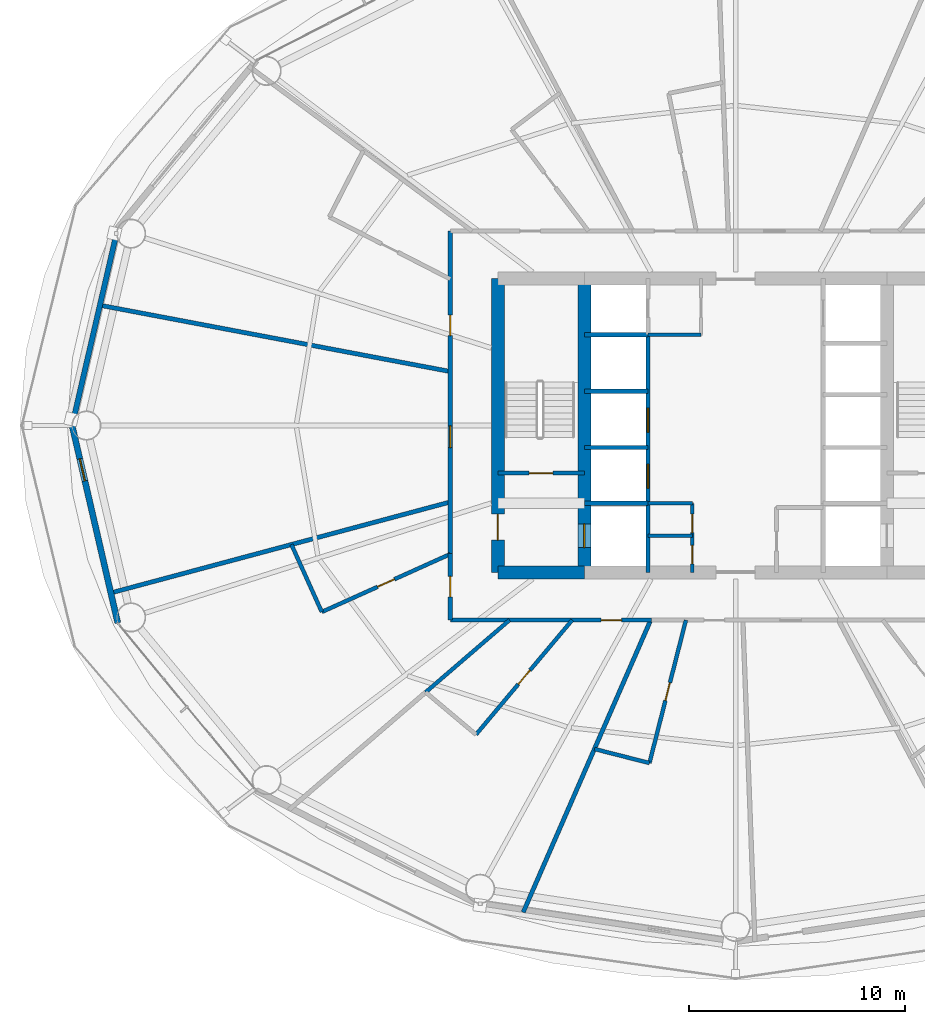
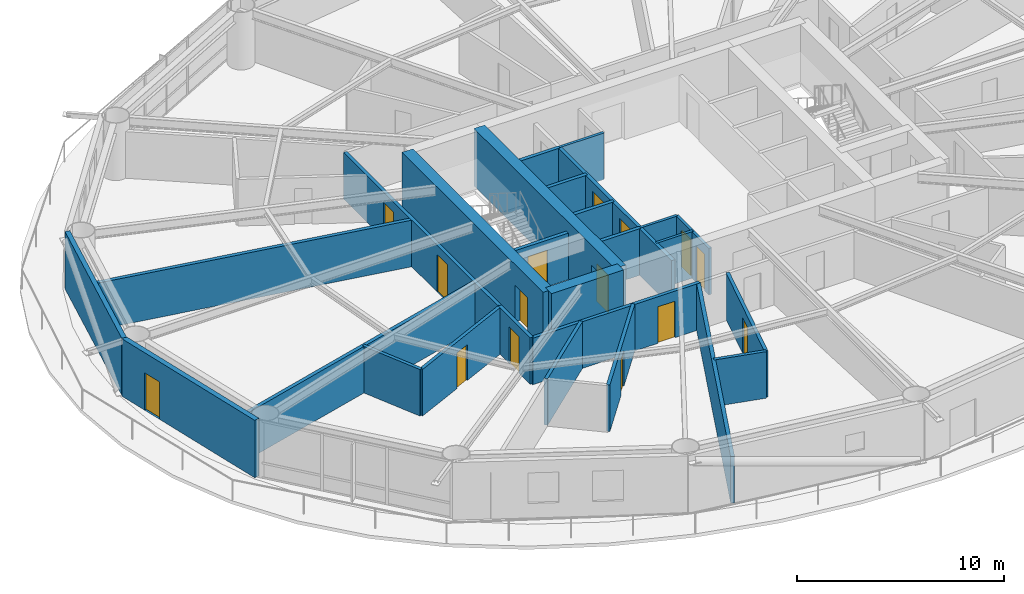
# One storey, part 20 of 26: 28 walls, 15 doors, 15 openings.
"""IFC4 building model written with IfcOpenShell, lengths in metres."""

import ifcopenshell
import ifcopenshell.guid

model = None  # the IFC model being written
_history = None  # IfcOwnerHistory: only IFC2X3 demands one
_inside = {}  # id of a spatial element -> (the spatial element, [elements in it])
_under = {}  # id of a project, library or spatial element -> (it, [spatial elements below it])
_declared = {}  # id of a project -> (the project, [libraries it declares])
_typed = {}  # id of a type object -> (the type object, [elements of that type])
_made_of = {}  # id of a material, layer set ... -> (it, [elements and type objects made of it])


def new_model(schema):
    """Start an empty IFC model of exactly this schema.

    Asked for "IFC4X3", IfcOpenShell would pick the latest addendum, in which some entities
    have other attributes; the version numbers below select the first issue.
    IFC2X3 requires an IfcOwnerHistory on every rooted entity: one is made here for all.
    """
    global model, _history
    if schema == "IFC4X3":
        model = ifcopenshell.file(schema_version=(4, 3, 0, 0))
    else:
        model = ifcopenshell.file(schema=schema)
    _inside.clear()
    _under.clear()
    _declared.clear()
    _typed.clear()
    _made_of.clear()
    _history = None
    if model.schema == "IFC2X3":
        org = make("IfcOrganization", Name="unknown")
        user = make(
            "IfcPersonAndOrganization",
            ThePerson=make("IfcPerson", FamilyName="unknown"),
            TheOrganization=org,
        )
        app = make(
            "IfcApplication",
            ApplicationDeveloper=org,
            Version="unknown",
            ApplicationFullName="unknown",
            ApplicationIdentifier="unknown",
        )
        _history = make(
            "IfcOwnerHistory",
            OwningUser=user,
            OwningApplication=app,
            ChangeAction="ADDED",
            CreationDate=0,
        )
    return model


def make(cls, **values):
    """One entity of the class cls with the attributes given. An attribute that is None is left unset."""
    return model.create_entity(
        cls, **{name: value for name, value in values.items() if value is not None}
    )


def rooted(cls, **values):
    """An entity with a GlobalId (a new one), such as an element, a storey or a relation."""
    return make(cls, GlobalId=ifcopenshell.guid.new(), OwnerHistory=_history, **values)


def si_unit(unit_type, name, prefix=None):
    """IfcSIUnit, for example si_unit("LENGTHUNIT", "METRE", prefix="MILLI")."""
    return make("IfcSIUnit", UnitType=unit_type, Prefix=prefix, Name=name)


def assignment(units):
    """IfcUnitAssignment: the units of a project."""
    return None if units is None else make("IfcUnitAssignment", Units=units)


def point(xyz):
    """IfcCartesianPoint."""
    return None if xyz is None else make("IfcCartesianPoint", Coordinates=xyz)


def direction(xyz):
    """IfcDirection."""
    return None if xyz is None else make("IfcDirection", DirectionRatios=xyz)


def frame(location, z_axis=None, x_axis=None):
    """IfcAxis2Placement3D, a coordinate frame: its origin and axes. An axis left out is left unset."""
    return make(
        "IfcAxis2Placement3D",
        Location=point(location),
        Axis=direction(z_axis),
        RefDirection=direction(x_axis),
    )


def frame_2d(location, x_axis=None):
    """IfcAxis2Placement2D, a coordinate frame in the plane: its origin and x axis."""
    return make(
        "IfcAxis2Placement2D", Location=point(location), RefDirection=direction(x_axis)
    )


def origin():
    """The frame at (0, 0, 0) with its axes left unset."""
    return frame((0.0, 0.0, 0.0))


def place(relative_to, where):
    """IfcLocalPlacement: puts the frame where relative to a parent placement (None: the world)."""
    return make(
        "IfcLocalPlacement", PlacementRelTo=relative_to, RelativePlacement=where
    )


def context(
    kind, dimensions, precision=None, world=None, true_north=None, identifier=None
):
    """IfcGeometricRepresentationContext, for example the 3D "Model" context."""
    return make(
        "IfcGeometricRepresentationContext",
        ContextIdentifier=identifier,
        ContextType=kind,
        CoordinateSpaceDimension=dimensions,
        Precision=precision,
        WorldCoordinateSystem=world,
        TrueNorth=true_north,
    )


def subcontext(parent, identifier, kind, view, scale=None):
    """IfcGeometricRepresentationSubContext, for example "Body" below "Model"."""
    return make(
        "IfcGeometricRepresentationSubContext",
        ContextIdentifier=identifier,
        ContextType=kind,
        ParentContext=parent,
        TargetScale=scale,
        TargetView=view,
    )


def project(units=None, contexts=None):
    """IfcProject with its units and contexts."""
    return rooted(
        "IfcProject",
        Name="project",
        RepresentationContexts=contexts,
        UnitsInContext=assignment(units),
    )


def spatial(cls, under=None, at=None, **own):
    """A site, building, storey or space (cls), placed at a placement, below another one or the project."""
    s = rooted(cls, ObjectPlacement=at, **own)
    if under is not None:
        _under.setdefault(under.id(), (under, []))[1].append(s)
    return s


def profile(cls, at=None, kind="AREA", **sizes):
    """A parametric profile (cls). Its sizes go by their IFC names, for example OverallWidth=200.0."""
    return make(cls, ProfileType=kind, Position=at, **sizes)


def rectangle(**sizes):
    """IfcRectangleProfileDef."""
    return profile("IfcRectangleProfileDef", **sizes)


def extrude(swept, where, along, depth):
    """IfcExtrudedAreaSolid: the profile swept, set in the frame where, extruded along a direction by depth."""
    return make(
        "IfcExtrudedAreaSolid",
        SweptArea=swept,
        Position=where,
        ExtrudedDirection=direction(along),
        Depth=depth,
    )


def shape(context_of_items, identifier, shape_type, items):
    """IfcShapeRepresentation: the items that make up one representation, for example the "Body"."""
    return make(
        "IfcShapeRepresentation",
        ContextOfItems=context_of_items,
        RepresentationIdentifier=identifier,
        RepresentationType=shape_type,
        Items=items,
    )


def material(Name=None, Category=None):
    """IfcMaterial."""
    return make("IfcMaterial", Name=Name, Category=Category)


def layer(
    of_material, thickness, ventilated=None, Name=None, Category=None, Priority=None
):
    """IfcMaterialLayer: one layer of a wall or slab, of a material (None: an air gap)."""
    return make(
        "IfcMaterialLayer",
        Material=of_material,
        LayerThickness=thickness,
        IsVentilated=ventilated,
        Name=Name,
        Category=Category,
        Priority=Priority,
    )


def layer_set(layers, Name=None):
    """IfcMaterialLayerSet."""
    return make("IfcMaterialLayerSet", MaterialLayers=layers, LayerSetName=Name)


def made_of(thing, what):
    """Note that an element or type object is made of a material, layer set ...; save() writes the relation."""
    if what is not None:
        _made_of.setdefault(what.id(), (what, []))[1].append(thing)
    return thing


def type_object(cls, material=None, **own):
    """A type object (cls), such as IfcWallType, which elements share."""
    return made_of(rooted(cls, **own), material)


def element(
    cls,
    number,
    at=None,
    inside=None,
    cuts=None,
    type_object=None,
    material=None,
    context=None,
    identifier="Body",
    shape_type=None,
    held_by="IfcProductDefinitionShape",
    body=None,
    shapes=None,
    **own,
):
    """One element of the class cls, such as IfcWall. Its Tag is "e" and its number.

    at: its placement. inside: the storey or other place that contains it. cuts: it is an
    opening in that element (IfcRelVoidsElement). A single representation is given by context,
    identifier, shape_type and body (its items); several are given by shapes. held_by: the class
    of the entity that holds the representations. save() writes the other relations.
    """
    e = rooted(cls, Tag="e%d" % number, ObjectPlacement=at, **own)
    if body is not None:
        shapes = [shape(context, identifier, shape_type, body)]
    if shapes is not None:
        e.Representation = make(held_by, Representations=shapes)
    if inside is not None:
        _inside.setdefault(inside.id(), (inside, []))[1].append(e)
    if cuts is not None:
        rooted(
            "IfcRelVoidsElement", RelatingBuildingElement=cuts, RelatedOpeningElement=e
        )
    if type_object is not None:
        _typed.setdefault(type_object.id(), (type_object, []))[1].append(e)
    return made_of(e, material)


def fill(opening, filler):
    """IfcRelFillsElement: the door or window that sits in an opening."""
    return rooted(
        "IfcRelFillsElement",
        RelatingOpeningElement=opening,
        RelatedBuildingElement=filler,
    )


def aggregate(whole, parts):
    """IfcRelAggregates: a whole, such as a stair, and the parts it consists of."""
    return rooted("IfcRelAggregates", RelatingObject=whole, RelatedObjects=parts)


def save(model, path):
    """Write the relations noted so far, then the file.

    IfcRelAggregates (storeys below a building ...), IfcRelContainedInSpatialStructure (elements
    in a storey), IfcRelDefinesByType, IfcRelAssociatesMaterial and IfcRelDeclares: one each for
    every whole, place, type object, material and project.
    """
    for whole, parts in _under.values():
        aggregate(whole, parts)
    for where, things in _inside.values():
        rooted(
            "IfcRelContainedInSpatialStructure",
            RelatedElements=things,
            RelatingStructure=where,
        )
    for kind, things in _typed.values():
        rooted("IfcRelDefinesByType", RelatedObjects=things, RelatingType=kind)
    for what, things in _made_of.values():
        rooted("IfcRelAssociatesMaterial", RelatedObjects=things, RelatingMaterial=what)
    for by, libraries in _declared.values():
        rooted("IfcRelDeclares", RelatingContext=by, RelatedDefinitions=libraries)
    model.write(path)


model = new_model("IFC4")

# Units and contexts
model_context = context("Model", 3, precision=1e-05, world=origin(), true_north=direction((0.0, 1.0)))
body_context = subcontext(model_context, "Body", "Model", "MODEL_VIEW")
ifc_project = project(units=[si_unit("LENGTHUNIT", "METRE"), si_unit("AREAUNIT", "SQUARE_METRE"), si_unit("VOLUMEUNIT", "CUBIC_METRE"), si_unit("PLANEANGLEUNIT", "RADIAN"), si_unit("MASSUNIT", "GRAM", prefix="KILO")], contexts=[model_context])

# Site, building, storey
site_placement = place(None, origin())
site = spatial("IfcSite", under=ifc_project, at=site_placement, CompositionType="ELEMENT")
building_placement = place(site_placement, origin())
building = spatial("IfcBuilding", under=site, at=building_placement, Name="Sarneth Arch Tower", CompositionType="ELEMENT")
storey_placement = place(building_placement, frame((0.0, 0.0, 42.60009765625)))
storey = spatial("IfcBuildingStorey", under=building, at=storey_placement, Name="L09", CompositionType="ELEMENT", Elevation=42.60009765625)

# Wall
ifc_material_1 = material(Name="Concrete C60/75", Category="concrete")
ifc_layer_1 = layer(ifc_material_1, 0.60009765625)
ifc_layer_set_1 = layer_set([ifc_layer_1], Name="Concrete C60/75")
wall_type_1 = type_object("IfcWallType", Name="WALL-CORE-600", PredefinedType="SHEAR", material=ifc_layer_set_1)
wall_1_placement = place(storey_placement, frame((37.0, 35.199951171875, 0.0), z_axis=(0.0, 0.0, 1.0), x_axis=(1.0, 0.0, 0.0)))
element("IfcWall", 1, at=wall_1_placement, inside=storey, type_object=wall_type_1, Name="L09 Core shear wall S-W", PredefinedType="SHEAR", context=body_context, shape_type="SweptSolid", body=[
    extrude(rectangle(XDim=4.0, YDim=0.60009765625, at=frame_2d((2.0, 0.0))), origin(), (0.0, 0.0, 1.0), 3.3798828125),
])

# Wall, opening, door
wall_2_placement = place(storey_placement, frame((37.0, 35.199951171875, 0.0), z_axis=(0.0, 0.0, 1.0), x_axis=(0.0, 1.0, 0.0)))
wall_2 = element("IfcWall", 2, at=wall_2_placement, inside=storey, type_object=wall_type_1, Name="L09 Core shear wall W", PredefinedType="SHEAR", context=body_context, shape_type="SweptSolid", body=[
    extrude(rectangle(XDim=13.60009765625, YDim=0.60009765625, at=frame_2d((6.800048828125, 0.0))), origin(), (0.0, 0.0, 1.0), 3.3798828125),
])
opening_1_placement = place(wall_2_placement, frame((1.5, 0.0, 0.0)))
opening_1 = element("IfcOpeningElement", 3, at=opening_1_placement, cuts=wall_2, Name="Opening FD-02", PredefinedType="OPENING", context=body_context, shape_type="SweptSolid", body=[
    extrude(rectangle(XDim=1.199951171875, YDim=2.14990234375, at=frame_2d((0.60009765625, 1.074951171875))), frame((0.0, 0.31005859375, 0.0), z_axis=(0.0, -1.0, 0.0), x_axis=(1.0, 0.0, 0.0)), (0.0, 0.0, 1.0), 0.6201171875),
])
ifc_material_2 = material(Name="Galvanised Steel S275 fire door set", Category="steel")
door_type_1 = type_object("IfcDoorType", Name="DR-FD90-1200", OperationType="SINGLE_SWING_LEFT", PredefinedType="DOOR", material=ifc_material_2)
door_1_placement = place(opening_1_placement, origin())
door_1 = element("IfcDoor", 4, at=door_1_placement, inside=storey, type_object=door_type_1, Name="L09 Firefighting lobby 1 exit door", OperationType="SINGLE_SWING_LEFT", OverallHeight=2.14990234375, OverallWidth=1.199951171875, PredefinedType="DOOR", context=body_context, shape_type="SweptSolid", body=[
    extrude(rectangle(XDim=1.199951171875, YDim=2.14990234375, at=frame_2d((0.60009765625, 1.074951171875))), frame((0.0, 0.02490234375, 0.0), z_axis=(0.0, -1.0, 0.0), x_axis=(1.0, 0.0, 0.0)), (0.0, 0.0, 1.0), 0.050048828125),
])
fill(opening_1, door_1)

wall_3_placement = place(storey_placement, frame((41.0, 35.199951171875, 0.0), z_axis=(0.0, 0.0, 1.0), x_axis=(0.0, 1.0, 0.0)))
wall_3 = element("IfcWall", 5, at=wall_3_placement, inside=storey, type_object=wall_type_1, Name="L09 Core shear wall WEB-W", PredefinedType="SHEAR", context=body_context, shape_type="SweptSolid", body=[
    extrude(rectangle(XDim=13.60009765625, YDim=0.60009765625, at=frame_2d((6.800048828125, 0.0))), origin(), (0.0, 0.0, 1.0), 3.3798828125),
])
opening_2_placement = place(wall_3_placement, frame((1.14990234375, 0.0, 0.0)))
opening_2 = element("IfcOpeningElement", 6, at=opening_2_placement, cuts=wall_3, Name="Opening LD-1", PredefinedType="OPENING", context=body_context, shape_type="SweptSolid", body=[
    extrude(rectangle(XDim=1.10009765625, YDim=2.199951171875, at=frame_2d((0.550048828125, 1.10009765625))), frame((0.0, 0.31005859375, 0.0), z_axis=(0.0, -1.0, 0.0), x_axis=(1.0, 0.0, 0.0)), (0.0, 0.0, 1.0), 0.6201171875),
])
ifc_material_3 = material(Name="Brushed Stainless Steel 304 lift landing door", Category="steel")
door_type_2 = type_object("IfcDoorType", Name="DR-LIFT-SLIDE-1100", OperationType="SLIDING_TO_LEFT", PredefinedType="DOOR", material=ifc_material_3)
door_2_placement = place(opening_2_placement, origin())
door_2 = element("IfcDoor", 7, at=door_2_placement, inside=storey, type_object=door_type_2, Name="L09 Firefighting lift landing door FL-1", OperationType="SLIDING_TO_LEFT", OverallHeight=2.199951171875, OverallWidth=1.10009765625, PredefinedType="DOOR", context=body_context, shape_type="SweptSolid", body=[
    extrude(rectangle(XDim=1.10009765625, YDim=2.199951171875, at=frame_2d((0.550048828125, 1.10009765625))), frame((0.0, 0.02490234375, 0.0), z_axis=(0.0, -1.0, 0.0), x_axis=(1.0, 0.0, 0.0)), (0.0, 0.0, 1.0), 0.050048828125),
])
fill(opening_2, door_2)

# Wall, openings, doors
ifc_material_4 = material(Name="Double steel-stud corridor fire wall", Category="steel")
ifc_layer_2 = layer(ifc_material_4, 0.18994140625)
ifc_layer_set_2 = layer_set([ifc_layer_2], Name="Double steel-stud corridor fire wall")
wall_type_2 = type_object("IfcWallType", Name="WALL-CORR-190", PredefinedType="PARTITIONING", material=ifc_layer_set_2)
wall_4_placement = place(storey_placement, frame((34.800048828125, 36.016845703125, 0.0), z_axis=(0.0, 0.0, 1.0), x_axis=(0.0, 1.0, 0.0)))
wall_4 = element("IfcWall", 8, at=wall_4_placement, inside=storey, type_object=wall_type_2, Name="L09 Interior partition W-L09-TP-014", PredefinedType="PARTITIONING", context=body_context, shape_type="SweptSolid", body=[
    extrude(rectangle(XDim=14.983154296875, YDim=0.18994140625, at=frame_2d((7.49169921875, 0.0))), origin(), (0.0, 0.0, 1.0), 2.739990234375),
])
opening_3_placement = place(wall_4_placement, frame((4.96337890625, 0.0, 0.0)))
opening_3 = element("IfcOpeningElement", 9, at=opening_3_placement, cuts=wall_4, Name="Opening FD-08", PredefinedType="OPENING", context=body_context, shape_type="SweptSolid", body=[
    extrude(rectangle(XDim=1.0, YDim=2.199951171875, at=frame_2d((0.5, 1.10009765625))), frame((0.0, 0.10498046875, 0.0), z_axis=(0.0, -1.0, 0.0), x_axis=(1.0, 0.0, 0.0)), (0.0, 0.0, 1.0), 0.2099609375),
])
opening_4_placement = place(wall_4_placement, frame((10.146484375, 0.0, 0.0)))
opening_4 = element("IfcOpeningElement", 10, at=opening_4_placement, cuts=wall_4, Name="Opening FD-09", PredefinedType="OPENING", context=body_context, shape_type="SweptSolid", body=[
    extrude(rectangle(XDim=0.949951171875, YDim=2.14990234375, at=frame_2d((0.47509765625, 1.074951171875))), frame((0.0, 0.10498046875, 0.0), z_axis=(0.0, -1.0, 0.0), x_axis=(1.0, 0.0, 0.0)), (0.0, 0.0, 1.0), 0.2099609375),
])
ifc_material_5 = material(Name="Hardwood timber acoustic fire door", Category="wood")
door_type_3 = type_object("IfcDoorType", Name="DR-FD60-1000", OperationType="SINGLE_SWING_LEFT", PredefinedType="DOOR", material=ifc_material_5)
door_3_placement = place(opening_3_placement, origin())
door_3 = element("IfcDoor", 11, at=door_3_placement, inside=storey, type_object=door_type_3, Name="L09 Interior door DR-L09-AMN-07", OperationType="SINGLE_SWING_RIGHT", OverallHeight=2.199951171875, OverallWidth=1.0, PredefinedType="DOOR", context=body_context, shape_type="SweptSolid", body=[
    extrude(rectangle(XDim=1.0, YDim=2.199951171875, at=frame_2d((0.5, 1.10009765625))), frame((0.0, 0.02490234375, 0.0), z_axis=(0.0, -1.0, 0.0), x_axis=(1.0, 0.0, 0.0)), (0.0, 0.0, 1.0), 0.050048828125),
])
fill(opening_3, door_3)
ifc_material_6 = material(Name="Hardwood timber hotel entrance fire door", Category="wood")
door_type_4 = type_object("IfcDoorType", Name="DR-FD60-950", OperationType="SINGLE_SWING_RIGHT", PredefinedType="DOOR", material=ifc_material_6)
door_4_placement = place(opening_4_placement, origin())
door_4 = element("IfcDoor", 12, at=door_4_placement, inside=storey, type_object=door_type_4, Name="L09 Interior door DR-L09-KEY-06", OperationType="SINGLE_SWING_LEFT", OverallHeight=2.14990234375, OverallWidth=0.949951171875, PredefinedType="DOOR", context=body_context, shape_type="SweptSolid", body=[
    extrude(rectangle(XDim=0.949951171875, YDim=2.14990234375, at=frame_2d((0.47509765625, 1.074951171875))), frame((0.0, 0.02490234375, 0.0), z_axis=(0.0, -1.0, 0.0), x_axis=(1.0, 0.0, 0.0)), (0.0, 0.0, 1.0), 0.050048828125),
])
fill(opening_4, door_4)

# Wall, opening, door
wall_5_placement = place(storey_placement, frame((44.108154296875, 33.0, 0.0), z_axis=(0.0, 0.0, 1.0), x_axis=(-1.0, 0.0, 0.0)))
wall_5 = element("IfcWall", 13, at=wall_5_placement, inside=storey, type_object=wall_type_2, Name="L09 Interior partition W-L09-TP-018", PredefinedType="PARTITIONING", context=body_context, shape_type="SweptSolid", body=[
    extrude(rectangle(XDim=9.30810546875, YDim=0.18994140625, at=frame_2d((4.654052734375, 0.0))), origin(), (0.0, 0.0, 1.0), 2.739990234375),
])
opening_5_placement = place(wall_5_placement, frame((1.379638671875, 0.0, 0.0)))
opening_5 = element("IfcOpeningElement", 14, at=opening_5_placement, cuts=wall_5, Name="Opening FD-09", PredefinedType="OPENING", context=body_context, shape_type="SweptSolid", body=[
    extrude(rectangle(XDim=0.949951171875, YDim=2.14990234375, at=frame_2d((0.47509765625, 1.074951171875))), frame((0.0, 0.10498046875, 0.0), z_axis=(0.0, -1.0, 0.0), x_axis=(1.0, 0.0, 0.0)), (0.0, 0.0, 1.0), 0.2099609375),
])
door_5_placement = place(opening_5_placement, origin())
door_5 = element("IfcDoor", 15, at=door_5_placement, inside=storey, type_object=door_type_4, Name="L09 Interior door DR-L09-KEY-09", OperationType="SINGLE_SWING_RIGHT", OverallHeight=2.14990234375, OverallWidth=0.949951171875, PredefinedType="DOOR", context=body_context, shape_type="SweptSolid", body=[
    extrude(rectangle(XDim=0.949951171875, YDim=2.14990234375, at=frame_2d((0.47509765625, 1.074951171875))), frame((0.0, 0.02490234375, 0.0), z_axis=(0.0, -1.0, 0.0), x_axis=(1.0, 0.0, 0.0)), (0.0, 0.0, 1.0), 0.050048828125),
])
fill(opening_5, door_5)

wall_6_placement = place(storey_placement, frame((34.800048828125, 33.0, 0.0), z_axis=(0.0, 0.0, 1.0), x_axis=(0.0, 1.0, 0.0)))
wall_6 = element("IfcWall", 16, at=wall_6_placement, inside=storey, type_object=wall_type_2, Name="L09 Interior partition W-L09-TP-016", PredefinedType="PARTITIONING", context=body_context, shape_type="SweptSolid", body=[
    extrude(rectangle(XDim=3.0869140625, YDim=0.18994140625, at=frame_2d((1.54345703125, 0.0))), origin(), (0.0, 0.0, 1.0), 2.739990234375),
])
opening_6_placement = place(wall_6_placement, frame((1.068603515625, 0.0, 0.0)))
opening_6 = element("IfcOpeningElement", 17, at=opening_6_placement, cuts=wall_6, Name="Opening FD-09", PredefinedType="OPENING", context=body_context, shape_type="SweptSolid", body=[
    extrude(rectangle(XDim=0.949951171875, YDim=2.14990234375, at=frame_2d((0.47509765625, 1.074951171875))), frame((0.0, 0.10498046875, 0.0), z_axis=(0.0, -1.0, 0.0), x_axis=(1.0, 0.0, 0.0)), (0.0, 0.0, 1.0), 0.2099609375),
])
door_6_placement = place(opening_6_placement, origin())
door_6 = element("IfcDoor", 18, at=door_6_placement, inside=storey, type_object=door_type_4, Name="L09 Interior door DR-L09-KEY-08", OperationType="SINGLE_SWING_LEFT", OverallHeight=2.14990234375, OverallWidth=0.949951171875, PredefinedType="DOOR", context=body_context, shape_type="SweptSolid", body=[
    extrude(rectangle(XDim=0.949951171875, YDim=2.14990234375, at=frame_2d((0.47509765625, 1.074951171875))), frame((0.0, 0.02490234375, 0.0), z_axis=(0.0, -1.0, 0.0), x_axis=(1.0, 0.0, 0.0)), (0.0, 0.0, 1.0), 0.050048828125),
])
fill(opening_6, door_6)

# Wall
ifc_material_7 = material(Name="Extruded terracotta rainscreen on Concrete C40/50 backing", Category="masonry")
ifc_layer_3 = layer(ifc_material_7, 0.25)
ifc_layer_set_3 = layer_set([ifc_layer_3], Name="Extruded terracotta rainscreen on Concrete C40/50 backing")
wall_type_3 = type_object("IfcWallType", Name="WALL-EXT-SPAND-250", PredefinedType="SOLIDWALL", material=ifc_layer_set_3)
wall_7_placement = place(storey_placement, frame((19.4189453125, 51.138427734375, 0.0), z_axis=(0.0, 0.0, 1.0), x_axis=(-0.225454452941, -0.974253709076, 0.0)))
element("IfcWall", 19, at=wall_7_placement, inside=storey, type_object=wall_type_3, Name="L09 Terracotta perimeter wall 08", PredefinedType="SOLIDWALL", context=body_context, shape_type="SweptSolid", body=[
    extrude(rectangle(XDim=9.3798828125, YDim=0.25, at=frame_2d((4.68994140625, 0.0))), origin(), (0.0, 0.0, 1.0), 3.3798828125),
])

# Wall, opening, door
ifc_material_8 = material(Name="Extruded terracotta rainscreen on Concrete C40/50 backing", Category="masonry")
ifc_layer_4 = layer(ifc_material_8, 0.280029296875)
ifc_layer_set_4 = layer_set([ifc_layer_4], Name="Extruded terracotta rainscreen on Concrete C40/50 backing")
wall_type_4 = type_object("IfcWallType", Name="WALL-EXT-TERRA-280", PredefinedType="SOLIDWALL", material=ifc_layer_set_4)
wall_8_placement = place(storey_placement, frame((17.30419921875, 42.0, 0.0), z_axis=(0.0, 0.0, 1.0), x_axis=(0.225454452941, -0.974253709076, 0.0)))
wall_8 = element("IfcWall", 20, at=wall_8_placement, inside=storey, type_object=wall_type_4, Name="L09 Terracotta perimeter wall 09", PredefinedType="SOLIDWALL", context=body_context, shape_type="SweptSolid", body=[
    extrude(rectangle(XDim=9.3798828125, YDim=0.280029296875, at=frame_2d((4.68994140625, 0.0))), origin(), (0.0, 0.0, 1.0), 3.3798828125),
])
opening_7_placement = place(wall_8_placement, frame((1.5791015625, 0.0, 0.0)))
opening_7 = element("IfcOpeningElement", 21, at=opening_7_placement, cuts=wall_8, Name="Opening BD-4", PredefinedType="OPENING", context=body_context, shape_type="SweptSolid", body=[
    extrude(rectangle(XDim=1.050048828125, YDim=2.199951171875, at=frame_2d((0.52490234375, 1.10009765625))), frame((0.0, 0.14990234375, 0.0), z_axis=(0.0, -1.0, 0.0), x_axis=(1.0, 0.0, 0.0)), (0.0, 0.0, 1.0), 0.300048828125),
])
ifc_material_9 = material(Name="Thermally broken Aluminium 6063-T6 and laminated safety glass", Category="aluminium")
door_type_5 = type_object("IfcDoorType", Name="DR-BALC-GLZ-1050", OperationType="SINGLE_SWING_RIGHT", PredefinedType="DOOR", material=ifc_material_9)
door_7_placement = place(opening_7_placement, origin())
door_7 = element("IfcDoor", 22, at=door_7_placement, inside=storey, type_object=door_type_5, Name="L09 Balcony glazed door 09", OperationType="SINGLE_SWING_RIGHT", OverallHeight=2.199951171875, OverallWidth=1.050048828125, PredefinedType="DOOR", context=body_context, shape_type="SweptSolid", body=[
    extrude(rectangle(XDim=1.050048828125, YDim=2.199951171875, at=frame_2d((0.52490234375, 1.10009765625))), frame((0.0, 0.02490234375, 0.0), z_axis=(0.0, -1.0, 0.0), x_axis=(1.0, 0.0, 0.0)), (0.0, 0.0, 1.0), 0.050048828125),
])
fill(opening_7, door_7)

# Walls
ifc_material_10 = material(Name="Acoustic gypsum stud partition", Category="gypsum")
ifc_layer_5 = layer(ifc_material_10, 0.14990234375)
ifc_layer_set_5 = layer_set([ifc_layer_5], Name="Acoustic gypsum stud partition")
wall_type_5 = type_object("IfcWallType", Name="WALL-PART-150", PredefinedType="PARTITIONING", material=ifc_layer_set_5)
for number, where, z_axis, x_axis, name in (
    (23, (43.949951171875, 36.89990234375, 0.0), (0.0, 0.0, 1.0), (1.0, 0.0, 0.0), "L09 Interior partition W-L09-CSUP-M"),
    (24, (43.949951171875, 38.39990234375, 0.0), (0.0, 0.0, 1.0), (1.0, 0.0, 0.0), "L09 Interior partition W-L09-CSUP-N"),
):
    element("IfcWall", number, at=place(storey_placement, frame(where, z_axis=z_axis, x_axis=x_axis)), inside=storey, type_object=wall_type_5, Name=name, PredefinedType="PARTITIONING", context=body_context, shape_type="SweptSolid", body=[
        extrude(rectangle(XDim=2.050048828125, YDim=0.14990234375, at=frame_2d((1.02490234375, 0.0))), origin(), (0.0, 0.0, 1.0), 2.739990234375),
    ])

# Wall, openings, doors
wall_9_placement = place(storey_placement, frame((46.0, 35.199951171875, 0.0), z_axis=(0.0, 0.0, 1.0), x_axis=(0.0, 1.0, 0.0)))
wall_9 = element("IfcWall", 25, at=wall_9_placement, inside=storey, type_object=wall_type_5, Name="L09 Interior partition W-L09-CSUP-E", PredefinedType="PARTITIONING", context=body_context, shape_type="SweptSolid", body=[
    extrude(rectangle(XDim=3.199951171875, YDim=0.14990234375, at=frame_2d((1.60009765625, 0.0))), origin(), (0.0, 0.0, 1.0), 2.739990234375),
])
opening_8_placement = place(wall_9_placement, frame((0.39990234375, 0.0, 0.0)))
opening_8 = element("IfcOpeningElement", 26, at=opening_8_placement, cuts=wall_9, Name="Opening FD-11", PredefinedType="OPENING", context=body_context, shape_type="SweptSolid", body=[
    extrude(rectangle(XDim=0.85009765625, YDim=2.14990234375, at=frame_2d((0.425048828125, 1.074951171875))), frame((0.0, 0.0849609375, 0.0), z_axis=(0.0, -1.0, 0.0), x_axis=(1.0, 0.0, 0.0)), (0.0, 0.0, 1.0), 0.169921875),
])
opening_9_placement = place(wall_9_placement, frame((1.85009765625, 0.0, 0.0)))
opening_9 = element("IfcOpeningElement", 27, at=opening_9_placement, cuts=wall_9, Name="Opening FD-11", PredefinedType="OPENING", context=body_context, shape_type="SweptSolid", body=[
    extrude(rectangle(XDim=0.85009765625, YDim=2.14990234375, at=frame_2d((0.425048828125, 1.074951171875))), frame((0.0, 0.0849609375, 0.0), z_axis=(0.0, -1.0, 0.0), x_axis=(1.0, 0.0, 0.0)), (0.0, 0.0, 1.0), 0.169921875),
])
ifc_material_11 = material(Name="Galvanised Steel S275 closet fire door", Category="steel")
door_type_6 = type_object("IfcDoorType", Name="DR-FD60-850", OperationType="SINGLE_SWING_LEFT", PredefinedType="DOOR", material=ifc_material_11)
door_8_placement = place(opening_8_placement, origin())
door_8 = element("IfcDoor", 28, at=door_8_placement, inside=storey, type_object=door_type_6, Name="L09 Interior door DR-L09-CSUP1", OperationType="SINGLE_SWING_LEFT", OverallHeight=2.14990234375, OverallWidth=0.85009765625, PredefinedType="DOOR", context=body_context, shape_type="SweptSolid", body=[
    extrude(rectangle(XDim=0.85009765625, YDim=2.14990234375, at=frame_2d((0.425048828125, 1.074951171875))), frame((0.0, 0.02490234375, 0.0), z_axis=(0.0, -1.0, 0.0), x_axis=(1.0, 0.0, 0.0)), (0.0, 0.0, 1.0), 0.050048828125),
])
fill(opening_8, door_8)
door_9_placement = place(opening_9_placement, origin())
door_9 = element("IfcDoor", 29, at=door_9_placement, inside=storey, type_object=door_type_6, Name="L09 Interior door DR-L09-CSUP2", OperationType="SINGLE_SWING_RIGHT", OverallHeight=2.14990234375, OverallWidth=0.85009765625, PredefinedType="DOOR", context=body_context, shape_type="SweptSolid", body=[
    extrude(rectangle(XDim=0.85009765625, YDim=2.14990234375, at=frame_2d((0.425048828125, 1.074951171875))), frame((0.0, 0.02490234375, 0.0), z_axis=(0.0, -1.0, 0.0), x_axis=(1.0, 0.0, 0.0)), (0.0, 0.0, 1.0), 0.050048828125),
])
fill(opening_9, door_9)

# Wall
wall_10_placement = place(storey_placement, frame((43.949951171875, 46.199951171875, 0.0), z_axis=(0.0, 0.0, 1.0), x_axis=(1.0, 0.0, 0.0)))
element("IfcWall", 30, at=wall_10_placement, inside=storey, type_object=wall_type_5, Name="L09 Interior partition W-L09-CSUP3-S", PredefinedType="PARTITIONING", context=body_context, shape_type="SweptSolid", body=[
    extrude(rectangle(XDim=2.449951171875, YDim=0.14990234375, at=frame_2d((1.22509765625, 0.0))), origin(), (0.0, 0.0, 1.0), 2.739990234375),
])

# Wall, opening, door
ifc_material_12 = material(Name="Moisture-resistant plumbing chase wall", Category="gypsum")
ifc_layer_6 = layer(ifc_material_12, 0.179931640625)
ifc_layer_set_6 = layer_set([ifc_layer_6], Name="Moisture-resistant plumbing chase wall")
wall_type_6 = type_object("IfcWallType", Name="WALL-PLUMB-180", PredefinedType="PLUMBINGWALL", material=ifc_layer_set_6)
wall_11_placement = place(storey_placement, frame((40.4404296875, 33.0, 0.0), z_axis=(0.0, 0.0, 1.0), x_axis=(-0.643154836645, -0.765736153058, 0.0)))
wall_11 = element("IfcWall", 31, at=wall_11_placement, inside=storey, type_object=wall_type_6, Name="L09 Interior partition W-L09-TP-058", PredefinedType="PLUMBINGWALL", context=body_context, shape_type="SweptSolid", body=[
    extrude(rectangle(XDim=6.9169921875, YDim=0.179931640625, at=frame_2d((3.45849609375, 0.0))), origin(), (0.0, 0.0, 1.0), 2.739990234375),
])
opening_10_placement = place(wall_11_placement, frame((3.03369140625, 0.0, 0.0)))
opening_10 = element("IfcOpeningElement", 32, at=opening_10_placement, cuts=wall_11, Name="Opening ID-02", PredefinedType="OPENING", context=body_context, shape_type="SweptSolid", body=[
    extrude(rectangle(XDim=0.85009765625, YDim=2.10009765625, at=frame_2d((0.425048828125, 1.050048828125))), frame((0.0, 0.099853515625, 0.0), z_axis=(0.0, -1.0, 0.0), x_axis=(1.0, 0.0, 0.0)), (0.0, 0.0, 1.0), 0.199951171875),
])
ifc_material_13 = material(Name="Moisture-resistant bathroom timber door", Category="wood")
door_type_7 = type_object("IfcDoorType", Name="DR-INT-850", OperationType="SINGLE_SWING_RIGHT", PredefinedType="DOOR", material=ifc_material_13)
door_10_placement = place(opening_10_placement, origin())
door_10 = element("IfcDoor", 33, at=door_10_placement, inside=storey, type_object=door_type_7, Name="L09 Interior door DR-L09-ENS-09", OperationType="SINGLE_SWING_RIGHT", OverallHeight=2.10009765625, OverallWidth=0.85009765625, PredefinedType="DOOR", context=body_context, shape_type="SweptSolid", body=[
    extrude(rectangle(XDim=0.85009765625, YDim=2.10009765625, at=frame_2d((0.425048828125, 1.050048828125))), frame((0.0, 0.02490234375, 0.0), z_axis=(0.0, -1.0, 0.0), x_axis=(1.0, 0.0, 0.0)), (0.0, 0.0, 1.0), 0.050048828125),
])
fill(opening_10, door_10)

wall_12_placement = place(storey_placement, frame((44.015625, 26.384765625, 0.0), z_axis=(0.0, 0.0, 1.0), x_axis=(0.247244670819, 0.968953080779, 0.0)))
wall_12 = element("IfcWall", 34, at=wall_12_placement, inside=storey, type_object=wall_type_6, Name="L09 Interior partition W-L09-TP-063", PredefinedType="PLUMBINGWALL", context=body_context, shape_type="SweptSolid", body=[
    extrude(rectangle(XDim=6.8271484375, YDim=0.179931640625, at=frame_2d((3.41357421875, 0.0))), origin(), (0.0, 0.0, 1.0), 2.739990234375),
])
opening_11_placement = place(wall_12_placement, frame((2.988525390625, 0.0, 0.0)))
opening_11 = element("IfcOpeningElement", 35, at=opening_11_placement, cuts=wall_12, Name="Opening ID-02", PredefinedType="OPENING", context=body_context, shape_type="SweptSolid", body=[
    extrude(rectangle(XDim=0.85009765625, YDim=2.10009765625, at=frame_2d((0.425048828125, 1.050048828125))), frame((0.0, 0.099853515625, 0.0), z_axis=(0.0, -1.0, 0.0), x_axis=(1.0, 0.0, 0.0)), (0.0, 0.0, 1.0), 0.199951171875),
])
door_11_placement = place(opening_11_placement, origin())
door_11 = element("IfcDoor", 36, at=door_11_placement, inside=storey, type_object=door_type_7, Name="L09 Interior door DR-L09-ENS-10", OperationType="SINGLE_SWING_RIGHT", OverallHeight=2.10009765625, OverallWidth=0.85009765625, PredefinedType="DOOR", context=body_context, shape_type="SweptSolid", body=[
    extrude(rectangle(XDim=0.85009765625, YDim=2.10009765625, at=frame_2d((0.425048828125, 1.050048828125))), frame((0.0, 0.02490234375, 0.0), z_axis=(0.0, -1.0, 0.0), x_axis=(1.0, 0.0, 0.0)), (0.0, 0.0, 1.0), 0.050048828125),
])
fill(opening_11, door_11)

wall_13_placement = place(storey_placement, frame((28.85693359375, 33.373779296875, 0.0), z_axis=(0.0, 0.0, 1.0), x_axis=(0.911702033518, 0.410852044025, 0.0)))
wall_13 = element("IfcWall", 37, at=wall_13_placement, inside=storey, type_object=wall_type_6, Name="L09 Interior partition W-L09-TP-055", PredefinedType="PLUMBINGWALL", context=body_context, shape_type="SweptSolid", body=[
    extrude(rectangle(XDim=6.518798828125, YDim=0.179931640625, at=frame_2d((3.25927734375, 0.0))), origin(), (0.0, 0.0, 1.0), 2.739990234375),
])
opening_12_placement = place(wall_13_placement, frame((2.834228515625, 0.0, 0.0)))
opening_12 = element("IfcOpeningElement", 38, at=opening_12_placement, cuts=wall_13, Name="Opening ID-02", PredefinedType="OPENING", context=body_context, shape_type="SweptSolid", body=[
    extrude(rectangle(XDim=0.85009765625, YDim=2.10009765625, at=frame_2d((0.425048828125, 1.050048828125))), frame((0.0, 0.099853515625, 0.0), z_axis=(0.0, -1.0, 0.0), x_axis=(1.0, 0.0, 0.0)), (0.0, 0.0, 1.0), 0.199951171875),
])
door_12_placement = place(opening_12_placement, origin())
door_12 = element("IfcDoor", 39, at=door_12_placement, inside=storey, type_object=door_type_7, Name="L09 Interior door DR-L09-ENS-08", OperationType="SINGLE_SWING_RIGHT", OverallHeight=2.10009765625, OverallWidth=0.85009765625, PredefinedType="DOOR", context=body_context, shape_type="SweptSolid", body=[
    extrude(rectangle(XDim=0.85009765625, YDim=2.10009765625, at=frame_2d((0.425048828125, 1.050048828125))), frame((0.0, 0.02490234375, 0.0), z_axis=(0.0, -1.0, 0.0), x_axis=(1.0, 0.0, 0.0)), (0.0, 0.0, 1.0), 0.050048828125),
])
fill(opening_12, door_12)

# Walls
wall_14_placement = place(storey_placement, frame((33.661376953125, 29.66064453125, 0.0), z_axis=(0.0, 0.0, 1.0), x_axis=(0.757969199921, 0.652290343307, 0.0)))
element("IfcWall", 40, at=wall_14_placement, inside=storey, type_object=wall_type_6, Name="L09 Interior partition W-L09-TP-057", PredefinedType="PLUMBINGWALL", context=body_context, shape_type="SweptSolid", body=[
    extrude(rectangle(XDim=5.119384765625, YDim=0.179931640625, at=frame_2d((2.5595703125, 0.0))), origin(), (0.0, 0.0, 1.0), 2.739990234375),
])
wall_15_placement = place(storey_placement, frame((27.450927734375, 36.493896484375, 0.0), z_axis=(0.0, 0.0, 1.0), x_axis=(0.410839223928, -0.911707810695, 0.0)))
element("IfcWall", 41, at=wall_15_placement, inside=storey, type_object=wall_type_6, Name="L09 Interior partition W-L09-TP-054", PredefinedType="PLUMBINGWALL", context=body_context, shape_type="SweptSolid", body=[
    extrude(rectangle(XDim=3.42236328125, YDim=0.179931640625, at=frame_2d((1.711181640625, 0.0))), origin(), (0.0, 0.0, 1.0), 2.739990234375),
])
wall_16_placement = place(storey_placement, frame((41.470458984375, 27.0341796875, 0.0), z_axis=(0.0, 0.0, 1.0), x_axis=(0.968955620009, -0.24723471935, 0.0)))
element("IfcWall", 42, at=wall_16_placement, inside=storey, type_object=wall_type_6, Name="L09 Interior partition W-L09-TP-062", PredefinedType="PLUMBINGWALL", context=body_context, shape_type="SweptSolid", body=[
    extrude(rectangle(XDim=2.626708984375, YDim=0.179931640625, at=frame_2d((1.3134765625, 0.0))), origin(), (0.0, 0.0, 1.0), 2.739990234375),
])

# Wall, opening, door
ifc_material_14 = material(Name="Aerated concrete blockwork C25/30", Category="masonry")
ifc_layer_7 = layer(ifc_material_14, 0.199951171875)
ifc_layer_set_7 = layer_set([ifc_layer_7], Name="Aerated concrete blockwork C25/30")
wall_type_7 = type_object("IfcWallType", Name="WALL-SHAFT-200", PredefinedType="SOLIDWALL", material=ifc_layer_set_7)
wall_17_placement = place(storey_placement, frame((37.0, 39.800048828125, 0.0), z_axis=(0.0, 0.0, 1.0), x_axis=(1.0, 0.0, 0.0)))
wall_17 = element("IfcWall", 43, at=wall_17_placement, inside=storey, type_object=wall_type_7, Name="L09 Interior partition W-L09-ST1-S", PredefinedType="SOLIDWALL", context=body_context, shape_type="SweptSolid", body=[
    extrude(rectangle(XDim=4.0, YDim=0.199951171875, at=frame_2d((2.0, 0.0))), origin(), (0.0, 0.0, 1.0), 2.739990234375),
])
opening_13_placement = place(wall_17_placement, frame((1.449951171875, 0.0, 0.0)))
opening_13 = element("IfcOpeningElement", 44, at=opening_13_placement, cuts=wall_17, Name="Opening FD-03", PredefinedType="OPENING", context=body_context, shape_type="SweptSolid", body=[
    extrude(rectangle(XDim=1.10009765625, YDim=2.14990234375, at=frame_2d((0.550048828125, 1.074951171875))), frame((0.0, 0.10986328125, 0.0), z_axis=(0.0, -1.0, 0.0), x_axis=(1.0, 0.0, 0.0)), (0.0, 0.0, 1.0), 0.219970703125),
])
ifc_material_15 = material(Name="Galvanised Steel S275 fire door set", Category="steel")
door_type_8 = type_object("IfcDoorType", Name="DR-FD90-1100", OperationType="SINGLE_SWING_LEFT", PredefinedType="DOOR", material=ifc_material_15)
door_13_placement = place(opening_13_placement, origin())
door_13 = element("IfcDoor", 45, at=door_13_placement, inside=storey, type_object=door_type_8, Name="L09 Interior door DR-L09-ST1", OperationType="SINGLE_SWING_LEFT", OverallHeight=2.14990234375, OverallWidth=1.10009765625, PredefinedType="DOOR", context=body_context, shape_type="SweptSolid", body=[
    extrude(rectangle(XDim=1.10009765625, YDim=2.14990234375, at=frame_2d((0.550048828125, 1.074951171875))), frame((0.0, 0.02490234375, 0.0), z_axis=(0.0, -1.0, 0.0), x_axis=(1.0, 0.0, 0.0)), (0.0, 0.0, 1.0), 0.050048828125),
])
fill(opening_13, door_13)

# Walls
wall_18_placement = place(storey_placement, frame((43.949951171875, 35.199951171875, 0.0), z_axis=(0.0, 0.0, 1.0), x_axis=(0.0, 1.0, 0.0)))
element("IfcWall", 46, at=wall_18_placement, inside=storey, type_object=wall_type_7, Name="L09 Interior partition W-L09-FL1-E", PredefinedType="SOLIDWALL", context=body_context, shape_type="SweptSolid", body=[
    extrude(rectangle(XDim=3.199951171875, YDim=0.199951171875, at=frame_2d((1.60009765625, 0.0))), origin(), (0.0, 0.0, 1.0), 2.739990234375),
])
for number, where, z_axis, x_axis, name in (
    (47, (41.0, 38.39990234375, 0.0), (0.0, 0.0, 1.0), (1.0, 0.0, 0.0), "L09 Interior partition W-L09-FL1-N"),
    (48, (41.0, 46.199951171875, 0.0), (0.0, 0.0, 1.0), (1.0, 0.0, 0.0), "L09 Interior partition W-L09-RISER-S"),
):
    element("IfcWall", number, at=place(storey_placement, frame(where, z_axis=z_axis, x_axis=x_axis)), inside=storey, type_object=wall_type_7, Name=name, PredefinedType="SOLIDWALL", context=body_context, shape_type="SweptSolid", body=[
        extrude(rectangle(XDim=2.949951171875, YDim=0.199951171875, at=frame_2d((1.47509765625, 0.0))), origin(), (0.0, 0.0, 1.0), 2.739990234375),
    ])

# Wall, openings, doors
wall_19_placement = place(storey_placement, frame((43.949951171875, 38.39990234375, 0.0), z_axis=(0.0, 0.0, 1.0), x_axis=(0.0, 1.0, 0.0)))
wall_19 = element("IfcWall", 49, at=wall_19_placement, inside=storey, type_object=wall_type_7, Name="L09 Interior partition W-L09-WESTBANK-FRONT", PredefinedType="SOLIDWALL", context=body_context, shape_type="SweptSolid", body=[
    extrude(rectangle(XDim=7.800048828125, YDim=0.199951171875, at=frame_2d((3.89990234375, 0.0))), origin(), (0.0, 0.0, 1.0), 2.739990234375),
])
opening_14_placement = place(wall_19_placement, frame((0.699951171875, 0.0, 0.0)))
opening_14 = element("IfcOpeningElement", 50, at=opening_14_placement, cuts=wall_19, Name="Opening LD-1", PredefinedType="OPENING", context=body_context, shape_type="SweptSolid", body=[
    extrude(rectangle(XDim=1.10009765625, YDim=2.199951171875, at=frame_2d((0.550048828125, 1.10009765625))), frame((0.0, 0.10986328125, 0.0), z_axis=(0.0, -1.0, 0.0), x_axis=(1.0, 0.0, 0.0)), (0.0, 0.0, 1.0), 0.219970703125),
])
opening_15_placement = place(wall_19_placement, frame((3.300048828125, 0.0, 0.0)))
opening_15 = element("IfcOpeningElement", 51, at=opening_15_placement, cuts=wall_19, Name="Opening LD-1", PredefinedType="OPENING", context=body_context, shape_type="SweptSolid", body=[
    extrude(rectangle(XDim=1.10009765625, YDim=2.199951171875, at=frame_2d((0.550048828125, 1.10009765625))), frame((0.0, 0.10986328125, 0.0), z_axis=(0.0, -1.0, 0.0), x_axis=(1.0, 0.0, 0.0)), (0.0, 0.0, 1.0), 0.219970703125),
])
door_14_placement = place(opening_14_placement, origin())
door_14 = element("IfcDoor", 52, at=door_14_placement, inside=storey, type_object=door_type_2, Name="L09 Lift landing door DR-L09-LD-PL1", OperationType="SLIDING_TO_LEFT", OverallHeight=2.199951171875, OverallWidth=1.10009765625, PredefinedType="DOOR", context=body_context, shape_type="SweptSolid", body=[
    extrude(rectangle(XDim=1.10009765625, YDim=2.199951171875, at=frame_2d((0.550048828125, 1.10009765625))), frame((0.0, 0.02490234375, 0.0), z_axis=(0.0, -1.0, 0.0), x_axis=(1.0, 0.0, 0.0)), (0.0, 0.0, 1.0), 0.050048828125),
])
fill(opening_14, door_14)
door_15_placement = place(opening_15_placement, origin())
door_15 = element("IfcDoor", 53, at=door_15_placement, inside=storey, type_object=door_type_2, Name="L09 Lift landing door DR-L09-LD-PL2", OperationType="SLIDING_TO_RIGHT", OverallHeight=2.199951171875, OverallWidth=1.10009765625, PredefinedType="DOOR", context=body_context, shape_type="SweptSolid", body=[
    extrude(rectangle(XDim=1.10009765625, YDim=2.199951171875, at=frame_2d((0.550048828125, 1.10009765625))), frame((0.0, 0.02490234375, 0.0), z_axis=(0.0, -1.0, 0.0), x_axis=(1.0, 0.0, 0.0)), (0.0, 0.0, 1.0), 0.050048828125),
])
fill(opening_15, door_15)

# Walls
for number, where, z_axis, x_axis, name in (
    (54, (41.0, 40.97998046875, 0.0), (0.0, 0.0, 1.0), (1.0, 0.0, 0.0), "L09 Interior partition W-L09-WB-DIV-4098"),
    (55, (41.0, 43.580078125, 0.0), (0.0, 0.0, 1.0), (1.0, 0.0, 0.0), "L09 Interior partition W-L09-WB-DIV-4358"),
):
    element("IfcWall", number, at=place(storey_placement, frame(where, z_axis=z_axis, x_axis=x_axis)), inside=storey, type_object=wall_type_7, Name=name, PredefinedType="SOLIDWALL", context=body_context, shape_type="SweptSolid", body=[
        extrude(rectangle(XDim=2.949951171875, YDim=0.199951171875, at=frame_2d((1.47509765625, 0.0))), origin(), (0.0, 0.0, 1.0), 2.739990234375),
    ])
ifc_material_16 = material(Name="Double steel-stud acoustic drywall", Category="steel")
ifc_layer_8 = layer(ifc_material_16, 0.199951171875)
ifc_layer_set_8 = layer_set([ifc_layer_8], Name="Double steel-stud acoustic drywall")
wall_type_8 = type_object("IfcWallType", Name="WALL-UNIT-200", PredefinedType="PARTITIONING", material=ifc_layer_set_8)
wall_20_placement = place(storey_placement, frame((34.800048828125, 44.49755859375, 0.0), z_axis=(0.0, 0.0, 1.0), x_axis=(-0.982565603173, 0.185916205484, 0.0)))
element("IfcWall", 56, at=wall_20_placement, inside=storey, type_object=wall_type_8, Name="L09 Interior partition W-L09-TP-051", PredefinedType="PARTITIONING", context=body_context, shape_type="SweptSolid", body=[
    extrude(rectangle(XDim=16.61572265625, YDim=0.199951171875, at=frame_2d((8.307861328125, 0.0))), origin(), (0.0, 0.0, 1.0), 2.739990234375),
])
wall_21_placement = place(storey_placement, frame((34.800048828125, 38.463134765625, 0.0), z_axis=(0.0, 0.0, 1.0), x_axis=(-0.965922233104, -0.258832454679, 0.0)))
element("IfcWall", 57, at=wall_21_placement, inside=storey, type_object=wall_type_8, Name="L09 Interior partition W-L09-TP-052", PredefinedType="PARTITIONING", context=body_context, shape_type="SweptSolid", body=[
    extrude(rectangle(XDim=16.37744140625, YDim=0.199951171875, at=frame_2d((8.188720703125, 0.0))), origin(), (0.0, 0.0, 1.0), 2.739990234375),
])
wall_22_placement = place(storey_placement, frame((44.0732421875, 33.0, 0.0), z_axis=(0.0, 0.0, 1.0), x_axis=(-0.399884283786, -0.916565632991, 0.0)))
element("IfcWall", 58, at=wall_22_placement, inside=storey, type_object=wall_type_8, Name="L09 Interior partition W-L09-TP-060", PredefinedType="PARTITIONING", context=body_context, shape_type="SweptSolid", body=[
    extrude(rectangle(XDim=14.7490234375, YDim=0.199951171875, at=frame_2d((7.37451171875, 0.0))), origin(), (0.0, 0.0, 1.0), 2.739990234375),
])

save(model, "model.ifc")
